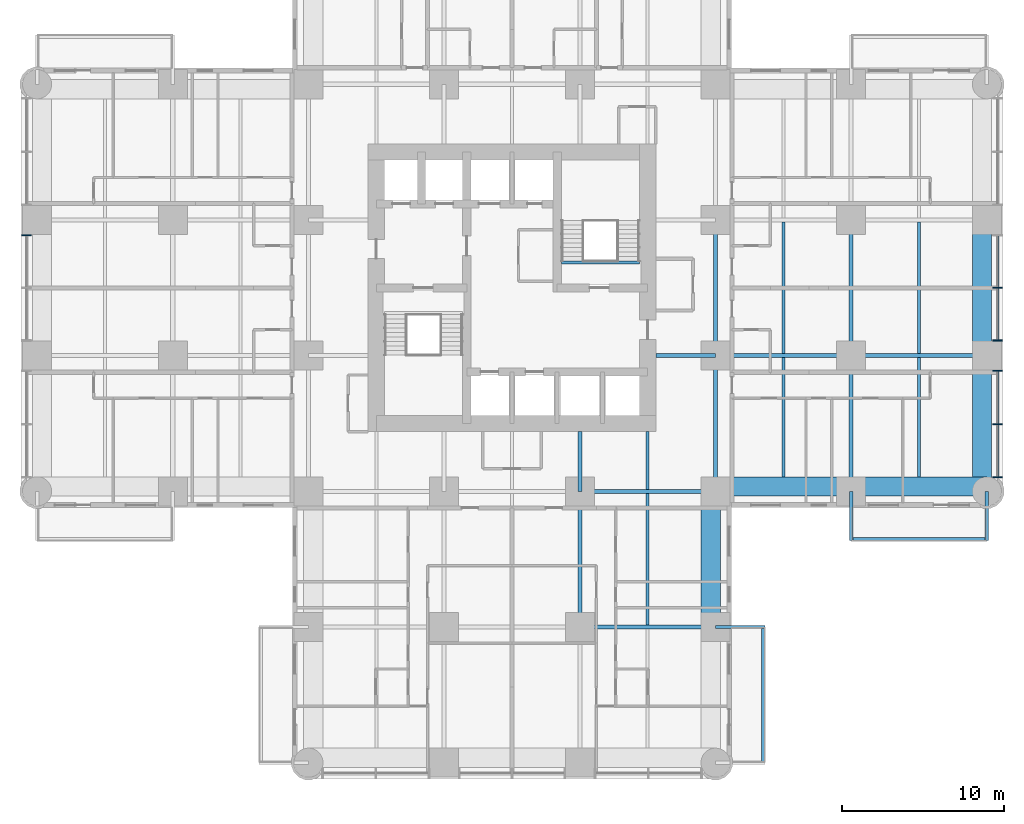
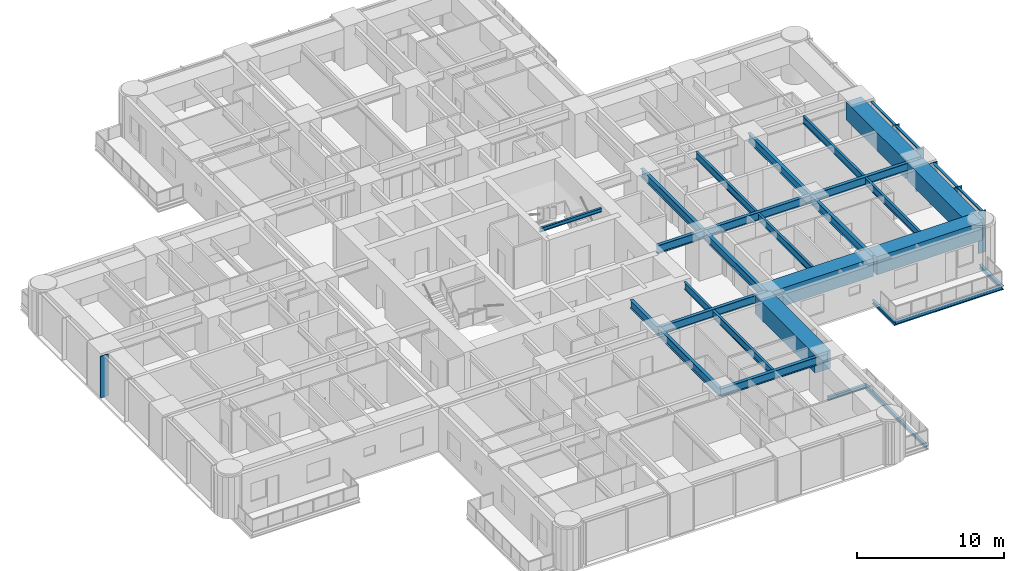
# One storey, part 3 of 17: 28 beams, 10 members, 2 elements without a shape of their own.
"""IFC4 building model written with IfcOpenShell, lengths in metres."""

from ifc_helpers import new_model, si_unit, direction, frame, origin, origin_2d, place, context, subcontext, project, spatial, rectangle, i_section, extrude, material, material_profile, profile_set, type_object, element, aggregate, save


model = new_model("IFC4")

# Units and contexts
model_context = context("Model", 3, precision=1e-05, world=origin(), true_north=direction((0.0, 1.0)))
body_context = subcontext(model_context, "Body", "Model", "MODEL_VIEW")
ifc_project = project(units=[si_unit("LENGTHUNIT", "METRE"), si_unit("AREAUNIT", "SQUARE_METRE"), si_unit("VOLUMEUNIT", "CUBIC_METRE"), si_unit("PLANEANGLEUNIT", "RADIAN"), si_unit("MASSUNIT", "GRAM", prefix="KILO")], contexts=[model_context])

# Site, building, storey
site_placement = place(None, origin())
site = spatial("IfcSite", under=ifc_project, at=site_placement, CompositionType="ELEMENT")
building_placement = place(site_placement, origin())
building = spatial("IfcBuilding", under=site, at=building_placement, Name="Torre Alcanfor", CompositionType="ELEMENT")
storey_placement = place(building_placement, frame((0.0, 0.0, 84.89990234375)))
storey = spatial("IfcBuildingStorey", under=building, at=storey_placement, Name="L21", CompositionType="ELEMENT", Elevation=84.89990234375)

# Beams
ifc_material_1 = material(Name="Steel ASTM A992 Grade 50", Category="steel")
ifc_material_profile_1 = material_profile(ifc_material_1, i_section(OverallWidth=0.205322265625, OverallDepth=0.309814453125, WebThickness=0.00927734375, FlangeThickness=0.016357421875, at=origin_2d()), Name="W12x50")
ifc_profile_set_1 = profile_set([ifc_material_profile_1], Name="Steel ASTM A992 Grade 50")
beam_type_1 = type_object("IfcBeamType", Name="Balcony cantilever beam W12x50", PredefinedType="BEAM", material=ifc_profile_set_1)
for number, where, z_axis, x_axis, name in (
    (1, (50.39990234375, 16.800048828125, -0.354736328125), (0.0, -1.0, 0.0), (1.0, 0.0, 0.0), "Balcony cantilever beam L21-E2 1"),
    (2, (58.800048828125, 16.800048828125, -0.354736328125), (0.0, -1.0, 0.0), (1.0, 0.0, 0.0), "Balcony cantilever beam L21-E2 2"),
    (3, (42.0, 8.39990234375, -0.354736328125), (1.0, 0.0, 0.0), (0.0, 1.0, 0.0), "Balcony cantilever beam L21-S1 1"),
):
    element("IfcBeam", number, at=place(storey_placement, frame(where, z_axis=z_axis, x_axis=x_axis)), inside=storey, type_object=beam_type_1, Name=name, PredefinedType="BEAM", context=body_context, shape_type="SweptSolid", body=[
        extrude(i_section(OverallWidth=0.205322265625, OverallDepth=0.309814453125, WebThickness=0.00927734375, FlangeThickness=0.016357421875, at=origin_2d()), origin(), (0.0, 0.0, 1.0), 3.050048828125),
    ])
ifc_material_2 = material(Name="Steel ASTM A992 Grade 50", Category="steel")
ifc_material_profile_2 = material_profile(ifc_material_2, i_section(OverallWidth=0.203369140625, OverallDepth=0.30224609375, WebThickness=0.007568359375, FlangeThickness=0.01318359375, at=origin_2d()), Name="W12x40")
ifc_profile_set_2 = profile_set([ifc_material_profile_2], Name="Steel ASTM A992 Grade 50")
beam_type_2 = type_object("IfcBeamType", Name="Balcony edge trimmer W12x40", PredefinedType="BEAM", material=ifc_profile_set_2)
beam_1_placement = place(storey_placement, frame((50.39990234375, 13.851806640625, -0.35107421875), z_axis=(1.0, 0.0, 0.0), x_axis=(0.0, 1.0, 0.0)))
element("IfcBeam", 4, at=beam_1_placement, inside=storey, type_object=beam_type_2, Name="Balcony edge trimmer L21-E2", PredefinedType="BEAM", context=body_context, shape_type="SweptSolid", body=[
    extrude(i_section(OverallWidth=0.203369140625, OverallDepth=0.30224609375, WebThickness=0.007568359375, FlangeThickness=0.01318359375, at=origin_2d()), origin(), (0.0, 0.0, 1.0), 8.400146484375),
])
beam_2_placement = place(storey_placement, frame((44.9482421875, 8.39990234375, -0.35107421875), z_axis=(0.0, -1.0, 0.0), x_axis=(1.0, 0.0, 0.0)))
element("IfcBeam", 5, at=beam_2_placement, inside=storey, type_object=beam_type_2, Name="Balcony edge trimmer L21-S1", PredefinedType="BEAM", context=body_context, shape_type="SweptSolid", body=[
    extrude(i_section(OverallWidth=0.203369140625, OverallDepth=0.30224609375, WebThickness=0.007568359375, FlangeThickness=0.01318359375, at=origin_2d()), origin(), (0.0, 0.0, 1.0), 8.39990234375),
])

# Curtain wall, member
ifc_material_3 = material(Name="Aluminium and glass", Category="aluminium")
curtain_wall_type = type_object("IfcCurtainWallType", Name="CW-A unitised apartment glazing with vertical FIN", PredefinedType="NOTDEFINED", material=ifc_material_3)
curtain_wall_1_placement = place(storey_placement, origin())
curtain_wall_1 = element("IfcCurtainWall", 6, at=curtain_wall_1_placement, inside=storey, type_object=curtain_wall_type, Name="Curtain wall CW-A L21 2", PredefinedType="NOTDEFINED")
ifc_material_4 = material(Name="Bronze anodised aluminium", Category="aluminium")
ifc_material_profile_3 = material_profile(ifc_material_4, rectangle(XDim=0.60009765625, YDim=0.06494140625, at=origin_2d()), Name="CW-A mullion 65x600")
ifc_profile_set_3 = profile_set([ifc_material_profile_3], Name="Bronze anodised aluminium")
member_type_1 = type_object("IfcMemberType", Name="CW-A mullion with vertical FIN 65x600", PredefinedType="MULLION", material=ifc_profile_set_3)
member_1_placement = place(storey_placement, frame((-0.64990234375, 32.66259765625, 0.0), z_axis=(0.0, 0.0, 1.0), x_axis=(1.0, 0.0, 0.0)))
member_1 = element("IfcMember", 7, at=member_1_placement, type_object=member_type_1, Name="CW-A mullion 2.1", PredefinedType="MULLION", context=body_context, shape_type="SweptSolid", body=[
    extrude(rectangle(XDim=0.60009765625, YDim=0.06494140625, at=origin_2d()), origin(), (0.0, 0.0, 1.0), 3.4501953125),
])
aggregate(curtain_wall_1, [member_1])

# Curtain wall, members
curtain_wall_2_placement = place(storey_placement, origin())
curtain_wall_2 = element("IfcCurtainWall", 8, at=curtain_wall_2_placement, inside=storey, type_object=curtain_wall_type, Name="Curtain wall CW-A L21 8", PredefinedType="NOTDEFINED")
member_2_placement = place(storey_placement, frame((59.449951171875, 17.6669921875, 0.0), z_axis=(0.0, 0.0, 1.0), x_axis=(-1.0, 0.0, 0.0)))
member_2 = element("IfcMember", 9, at=member_2_placement, type_object=member_type_1, Name="CW-A mullion 1.1", PredefinedType="MULLION", context=body_context, shape_type="SweptSolid", body=[
    extrude(rectangle(XDim=0.60009765625, YDim=0.06494140625, at=origin_2d()), origin(), (0.0, 0.0, 1.0), 3.4501953125),
])
member_3_placement = place(storey_placement, frame((59.449951171875, 20.96484375, 0.0), z_axis=(0.0, 0.0, 1.0), x_axis=(-1.0, 0.0, 0.0)))
member_3 = element("IfcMember", 10, at=member_3_placement, type_object=member_type_1, Name="CW-A mullion 1.2", PredefinedType="MULLION", context=body_context, shape_type="SweptSolid", body=[
    extrude(rectangle(XDim=0.60009765625, YDim=0.06494140625, at=origin_2d()), origin(), (0.0, 0.0, 1.0), 3.4501953125),
])
member_4_placement = place(storey_placement, frame((59.449951171875, 24.262451171875, 0.0), z_axis=(0.0, 0.0, 1.0), x_axis=(-1.0, 0.0, 0.0)))
member_4 = element("IfcMember", 11, at=member_4_placement, type_object=member_type_1, Name="CW-A mullion 1.3", PredefinedType="MULLION", context=body_context, shape_type="SweptSolid", body=[
    extrude(rectangle(XDim=0.60009765625, YDim=0.06494140625, at=origin_2d()), origin(), (0.0, 0.0, 1.0), 3.4501953125),
])
member_5_placement = place(storey_placement, frame((59.449951171875, 26.137451171875, 0.0), z_axis=(0.0, 0.0, 1.0), x_axis=(-1.0, 0.0, 0.0)))
member_5 = element("IfcMember", 12, at=member_5_placement, type_object=member_type_1, Name="CW-A mullion 2.1", PredefinedType="MULLION", context=body_context, shape_type="SweptSolid", body=[
    extrude(rectangle(XDim=0.60009765625, YDim=0.06494140625, at=origin_2d()), origin(), (0.0, 0.0, 1.0), 3.4501953125),
])
member_6_placement = place(storey_placement, frame((59.449951171875, 29.39990234375, 0.0), z_axis=(0.0, 0.0, 1.0), x_axis=(-1.0, 0.0, 0.0)))
member_6 = element("IfcMember", 13, at=member_6_placement, type_object=member_type_1, Name="CW-A mullion 2.2", PredefinedType="MULLION", context=body_context, shape_type="SweptSolid", body=[
    extrude(rectangle(XDim=0.60009765625, YDim=0.06494140625, at=origin_2d()), origin(), (0.0, 0.0, 1.0), 3.4501953125),
])
ifc_material_5 = material(Name="Extruded aluminium", Category="aluminium")
ifc_material_profile_4 = material_profile(ifc_material_5, rectangle(XDim=0.199951171875, YDim=0.06494140625, at=origin_2d()), Name="CW-A transom 200x65")
ifc_profile_set_4 = profile_set([ifc_material_profile_4], Name="Extruded aluminium")
member_type_2 = type_object("IfcMemberType", Name="CW-A transom 65x200", PredefinedType="USERDEFINED", material=ifc_profile_set_4)
member_7_placement = place(storey_placement, frame((59.449951171875, 17.699462890625, 3.41748046875), z_axis=(0.0, 1.0, 0.0), x_axis=(-1.0, 0.0, 0.0)))
member_7 = element("IfcMember", 14, at=member_7_placement, type_object=member_type_2, Name="CW-A transom 1.1.2", ObjectType="TRANSOM", PredefinedType="USERDEFINED", context=body_context, shape_type="SweptSolid", body=[
    extrude(rectangle(XDim=0.199951171875, YDim=0.06494140625, at=origin_2d()), origin(), (0.0, 0.0, 1.0), 3.232666015625),
])
member_8_placement = place(storey_placement, frame((59.449951171875, 20.997314453125, 3.41748046875), z_axis=(0.0, 1.0, 0.0), x_axis=(-1.0, 0.0, 0.0)))
member_8 = element("IfcMember", 15, at=member_8_placement, type_object=member_type_2, Name="CW-A transom 1.2.2", ObjectType="TRANSOM", PredefinedType="USERDEFINED", context=body_context, shape_type="SweptSolid", body=[
    extrude(rectangle(XDim=0.199951171875, YDim=0.06494140625, at=origin_2d()), origin(), (0.0, 0.0, 1.0), 3.232666015625),
])
member_9_placement = place(storey_placement, frame((59.449951171875, 26.169921875, 3.41748046875), z_axis=(0.0, 1.0, 0.0), x_axis=(-1.0, 0.0, 0.0)))
member_9 = element("IfcMember", 16, at=member_9_placement, type_object=member_type_2, Name="CW-A transom 2.1.2", ObjectType="TRANSOM", PredefinedType="USERDEFINED", context=body_context, shape_type="SweptSolid", body=[
    extrude(rectangle(XDim=0.199951171875, YDim=0.06494140625, at=origin_2d()), origin(), (0.0, 0.0, 1.0), 3.197509765625),
])
member_10_placement = place(storey_placement, frame((59.449951171875, 29.4326171875, 3.41748046875), z_axis=(0.0, 1.0, 0.0), x_axis=(-1.0, 0.0, 0.0)))
member_10 = element("IfcMember", 17, at=member_10_placement, type_object=member_type_2, Name="CW-A transom 2.2.2", ObjectType="TRANSOM", PredefinedType="USERDEFINED", context=body_context, shape_type="SweptSolid", body=[
    extrude(rectangle(XDim=0.199951171875, YDim=0.06494140625, at=origin_2d()), origin(), (0.0, 0.0, 1.0), 3.197265625),
])
aggregate(curtain_wall_2, [member_2, member_3, member_4, member_7, member_8, member_5, member_6, member_9, member_10])

# Beams
ifc_material_6 = material(Name="Steel ASTM A992 Grade 50", Category="steel")
ifc_material_profile_5 = material_profile(ifc_material_6, i_section(OverallWidth=0.25390625, OverallDepth=0.683349609375, WebThickness=0.012451171875, FlangeThickness=0.01904296875, at=origin_2d()), Name="W27x94")
ifc_profile_set_5 = profile_set([ifc_material_profile_5], Name="Steel ASTM A992 Grade 50")
beam_type_3 = type_object("IfcBeamType", Name="Girder W27x94", PredefinedType="BEAM", material=ifc_profile_set_5)
for number, where, z_axis, x_axis, name in (
    (18, (33.60009765625, 8.39990234375, 3.1083984375), (1.0, 0.0, 0.0), (0.0, 1.0, 0.0), "Beam 5D-6D under L22"),
    (19, (33.60009765625, 16.800048828125, 3.1083984375), (1.0, 0.0, 0.0), (0.0, 1.0, 0.0), "Beam 5E-6E under L22"),
    (20, (42.0, 25.199951171875, 3.1083984375), (1.0, 0.0, 0.0), (0.0, 1.0, 0.0), "Beam 6F-7F under L22"),
):
    element("IfcBeam", number, at=place(storey_placement, frame(where, z_axis=z_axis, x_axis=x_axis)), inside=storey, type_object=beam_type_3, Name=name, PredefinedType="BEAM", context=body_context, shape_type="SweptSolid", body=[
        extrude(i_section(OverallWidth=0.25390625, OverallDepth=0.683349609375, WebThickness=0.012451171875, FlangeThickness=0.01904296875, at=origin_2d()), origin(), (0.0, 0.0, 1.0), 8.39990234375),
    ])
for number, where, z_axis, x_axis, name in (
    (21, (50.39990234375, 25.199951171875, 3.1083984375), (1.0, 0.0, 0.0), (0.0, 1.0, 0.0), "Beam 7F-8F under L22"),
    (22, (33.60009765625, 8.39990234375, 3.1083984375), (0.0, 1.0, 0.0), (-1.0, 0.0, 0.0), "Beam 5D-5E under L22"),
):
    element("IfcBeam", number, at=place(storey_placement, frame(where, z_axis=z_axis, x_axis=x_axis)), inside=storey, type_object=beam_type_3, Name=name, PredefinedType="BEAM", context=body_context, shape_type="SweptSolid", body=[
        extrude(i_section(OverallWidth=0.25390625, OverallDepth=0.683349609375, WebThickness=0.012451171875, FlangeThickness=0.01904296875, at=origin_2d()), origin(), (0.0, 0.0, 1.0), 8.400146484375),
    ])
beam_3_placement = place(storey_placement, frame((42.0, 16.800048828125, 3.1083984375), z_axis=(0.0, 1.0, 0.0), x_axis=(-1.0, 0.0, 0.0)))
element("IfcBeam", 23, at=beam_3_placement, inside=storey, type_object=beam_type_3, Name="Beam 6E-6F under L22", PredefinedType="BEAM", context=body_context, shape_type="SweptSolid", body=[
    extrude(i_section(OverallWidth=0.25390625, OverallDepth=0.683349609375, WebThickness=0.012451171875, FlangeThickness=0.01904296875, at=origin_2d()), origin(), (0.0, 0.0, 1.0), 8.39990234375),
])
beam_4_placement = place(storey_placement, frame((42.0, 25.199951171875, 3.1083984375), z_axis=(0.0, 1.0, 0.0), x_axis=(-1.0, 0.0, 0.0)))
element("IfcBeam", 24, at=beam_4_placement, inside=storey, type_object=beam_type_3, Name="Beam 6F-6G under L22", PredefinedType="BEAM", context=body_context, shape_type="SweptSolid", body=[
    extrude(i_section(OverallWidth=0.25390625, OverallDepth=0.683349609375, WebThickness=0.012451171875, FlangeThickness=0.01904296875, at=origin_2d()), origin(), (0.0, 0.0, 1.0), 8.400146484375),
])
beam_5_placement = place(storey_placement, frame((50.39990234375, 16.800048828125, 3.1083984375), z_axis=(0.0, 1.0, 0.0), x_axis=(-1.0, 0.0, 0.0)))
element("IfcBeam", 25, at=beam_5_placement, inside=storey, type_object=beam_type_3, Name="Beam 7E-7F under L22", PredefinedType="BEAM", context=body_context, shape_type="SweptSolid", body=[
    extrude(i_section(OverallWidth=0.25390625, OverallDepth=0.683349609375, WebThickness=0.012451171875, FlangeThickness=0.01904296875, at=origin_2d()), origin(), (0.0, 0.0, 1.0), 8.39990234375),
])
beam_6_placement = place(storey_placement, frame((50.39990234375, 25.199951171875, 3.1083984375), z_axis=(0.0, 1.0, 0.0), x_axis=(-1.0, 0.0, 0.0)))
element("IfcBeam", 26, at=beam_6_placement, inside=storey, type_object=beam_type_3, Name="Beam 7F-7G under L22", PredefinedType="BEAM", context=body_context, shape_type="SweptSolid", body=[
    extrude(i_section(OverallWidth=0.25390625, OverallDepth=0.683349609375, WebThickness=0.012451171875, FlangeThickness=0.01904296875, at=origin_2d()), origin(), (0.0, 0.0, 1.0), 8.400146484375),
])
ifc_material_7 = material(Name="Steel ASTM A992 Grade 50", Category="steel")
ifc_material_profile_6 = material_profile(ifc_material_7, i_section(OverallWidth=0.25390625, OverallDepth=0.683349609375, WebThickness=0.012451171875, FlangeThickness=0.01904296875, at=origin_2d()), Name="W27x94")
ifc_profile_set_6 = profile_set([ifc_material_profile_6], Name="Steel ASTM A992 Grade 50")
beam_type_4 = type_object("IfcBeamType", Name="Girder, part bay W27x94", PredefinedType="BEAM", material=ifc_profile_set_6)
for number, where, z_axis, x_axis, name in (
    (27, (33.60009765625, 16.800048828125, 3.1083984375), (0.0, 1.0, 0.0), (-1.0, 0.0, 0.0), "Beam 5E-520_5 under L22"),
    (28, (42.0, 25.199951171875, 3.1083984375), (-1.0, 0.0, 0.0), (0.0, -1.0, 0.0), "Beam 6F-38_3F under L22"),
):
    element("IfcBeam", number, at=place(storey_placement, frame(where, z_axis=z_axis, x_axis=x_axis)), inside=storey, type_object=beam_type_4, Name=name, PredefinedType="BEAM", context=body_context, shape_type="SweptSolid", body=[
        extrude(i_section(OverallWidth=0.25390625, OverallDepth=0.683349609375, WebThickness=0.012451171875, FlangeThickness=0.01904296875, at=origin_2d()), origin(), (0.0, 0.0, 1.0), 3.699951171875),
    ])
ifc_material_8 = material(Name="Concrete f'c 70 MPa", Category="concrete")
ifc_material_profile_7 = material_profile(ifc_material_8, rectangle(XDim=1.199951171875, YDim=1.5, at=origin_2d()), Name="1200x1500")
ifc_profile_set_7 = profile_set([ifc_material_profile_7], Name="Concrete f'c 70 MPa")
beam_type_5 = type_object("IfcBeamType", Name="RC perimeter beam 1200x1500", PredefinedType="BEAM", material=ifc_profile_set_7)
beam_7_placement = place(storey_placement, frame((42.126953125, 17.10009765625, 2.7001953125), z_axis=(1.0, 0.0, 0.0), x_axis=(0.0, 1.0, 0.0)))
element("IfcBeam", 29, at=beam_7_placement, inside=storey, type_object=beam_type_5, Name="Beam 6E-7E under L22", PredefinedType="BEAM", context=body_context, shape_type="SweptSolid", body=[
    extrude(rectangle(XDim=1.199951171875, YDim=1.5, at=origin_2d()), origin(), (0.0, 0.0, 1.0), 8.14599609375),
])
beam_8_placement = place(storey_placement, frame((50.527099609375, 17.10009765625, 2.7001953125), z_axis=(1.0, 0.0, 0.0), x_axis=(0.0, 1.0, 0.0)))
element("IfcBeam", 30, at=beam_8_placement, inside=storey, type_object=beam_type_5, Name="Beam 7E-8E under L22", PredefinedType="BEAM", context=body_context, shape_type="SweptSolid", body=[
    extrude(rectangle(XDim=1.199951171875, YDim=1.5, at=origin_2d()), origin(), (0.0, 0.0, 1.0), 8.27294921875),
])
beam_9_placement = place(storey_placement, frame((41.699951171875, 8.527099609375, 2.7001953125), z_axis=(0.0, 1.0, 0.0), x_axis=(-1.0, 0.0, 0.0)))
element("IfcBeam", 31, at=beam_9_placement, inside=storey, type_object=beam_type_5, Name="Beam 6D-6E under L22", PredefinedType="BEAM", context=body_context, shape_type="SweptSolid", body=[
    extrude(rectangle(XDim=1.199951171875, YDim=1.5, at=origin_2d()), origin(), (0.0, 0.0, 1.0), 8.14599609375),
])
beam_10_placement = place(storey_placement, frame((58.5, 16.800048828125, 2.7001953125), z_axis=(0.0, 1.0, 0.0), x_axis=(-1.0, 0.0, 0.0)))
element("IfcBeam", 32, at=beam_10_placement, inside=storey, type_object=beam_type_5, Name="Beam 8E-8F under L22", PredefinedType="BEAM", context=body_context, shape_type="SweptSolid", body=[
    extrude(rectangle(XDim=1.199951171875, YDim=1.5, at=origin_2d()), origin(), (0.0, 0.0, 1.0), 8.27294921875),
])
beam_11_placement = place(storey_placement, frame((58.5, 25.326904296875, 2.7001953125), z_axis=(0.0, 1.0, 0.0), x_axis=(-1.0, 0.0, 0.0)))
element("IfcBeam", 33, at=beam_11_placement, inside=storey, type_object=beam_type_5, Name="Beam 8F-8G under L22", PredefinedType="BEAM", context=body_context, shape_type="SweptSolid", body=[
    extrude(rectangle(XDim=1.199951171875, YDim=1.5, at=origin_2d()), origin(), (0.0, 0.0, 1.0), 8.14599609375),
])
ifc_material_9 = material(Name="Steel ASTM A992 Grade 50", Category="steel")
ifc_material_profile_8 = material_profile(ifc_material_9, i_section(OverallWidth=0.1787109375, OverallDepth=0.60205078125, WebThickness=0.010986328125, FlangeThickness=0.014892578125, at=origin_2d()), Name="W24x62")
ifc_profile_set_8 = profile_set([ifc_material_profile_8], Name="Steel ASTM A992 Grade 50")
beam_type_6 = type_object("IfcBeamType", Name="Secondary beam W24x62", PredefinedType="BEAM", material=ifc_profile_set_8)
beam_12_placement = place(storey_placement, frame((37.800048828125, 8.527099609375, 3.149169921875), z_axis=(0.0, 1.0, 0.0), x_axis=(-1.0, 0.0, 0.0)))
element("IfcBeam", 34, at=beam_12_placement, inside=storey, type_object=beam_type_6, Name="Beam 37_8D-37_8E under L22", PredefinedType="BEAM", context=body_context, shape_type="SweptSolid", body=[
    extrude(i_section(OverallWidth=0.1787109375, OverallDepth=0.60205078125, WebThickness=0.010986328125, FlangeThickness=0.014892578125, at=origin_2d()), origin(), (0.0, 0.0, 1.0), 8.14599609375),
])
beam_13_placement = place(storey_placement, frame((46.199951171875, 17.699951171875, 3.149169921875), z_axis=(0.0, 1.0, 0.0), x_axis=(-1.0, 0.0, 0.0)))
element("IfcBeam", 35, at=beam_13_placement, inside=storey, type_object=beam_type_6, Name="Beam 46_2E-46_2F under L22", PredefinedType="BEAM", context=body_context, shape_type="SweptSolid", body=[
    extrude(i_section(OverallWidth=0.1787109375, OverallDepth=0.60205078125, WebThickness=0.010986328125, FlangeThickness=0.014892578125, at=origin_2d()), origin(), (0.0, 0.0, 1.0), 7.373046875),
])
beam_14_placement = place(storey_placement, frame((46.199951171875, 25.326904296875, 3.149169921875), z_axis=(0.0, 1.0, 0.0), x_axis=(-1.0, 0.0, 0.0)))
element("IfcBeam", 36, at=beam_14_placement, inside=storey, type_object=beam_type_6, Name="Beam 46_2F-46_2G under L22", PredefinedType="BEAM", context=body_context, shape_type="SweptSolid", body=[
    extrude(i_section(OverallWidth=0.1787109375, OverallDepth=0.60205078125, WebThickness=0.010986328125, FlangeThickness=0.014892578125, at=origin_2d()), origin(), (0.0, 0.0, 1.0), 8.14599609375),
])
beam_15_placement = place(storey_placement, frame((54.60009765625, 17.699951171875, 3.149169921875), z_axis=(0.0, 1.0, 0.0), x_axis=(-1.0, 0.0, 0.0)))
element("IfcBeam", 37, at=beam_15_placement, inside=storey, type_object=beam_type_6, Name="Beam 54_6E-54_6F under L22", PredefinedType="BEAM", context=body_context, shape_type="SweptSolid", body=[
    extrude(i_section(OverallWidth=0.1787109375, OverallDepth=0.60205078125, WebThickness=0.010986328125, FlangeThickness=0.014892578125, at=origin_2d()), origin(), (0.0, 0.0, 1.0), 7.373046875),
])
beam_16_placement = place(storey_placement, frame((54.60009765625, 25.326904296875, 3.149169921875), z_axis=(0.0, 1.0, 0.0), x_axis=(-1.0, 0.0, 0.0)))
element("IfcBeam", 38, at=beam_16_placement, inside=storey, type_object=beam_type_6, Name="Beam 54_6F-54_6G under L22", PredefinedType="BEAM", context=body_context, shape_type="SweptSolid", body=[
    extrude(i_section(OverallWidth=0.1787109375, OverallDepth=0.60205078125, WebThickness=0.010986328125, FlangeThickness=0.014892578125, at=origin_2d()), origin(), (0.0, 0.0, 1.0), 8.14599609375),
])
ifc_material_10 = material(Name="Steel ASTM A992 Grade 50", Category="steel")
ifc_material_profile_9 = material_profile(ifc_material_10, i_section(OverallWidth=0.1787109375, OverallDepth=0.60205078125, WebThickness=0.010986328125, FlangeThickness=0.014892578125, at=origin_2d()), Name="W24x62")
ifc_profile_set_9 = profile_set([ifc_material_profile_9], Name="Steel ASTM A992 Grade 50")
beam_type_7 = type_object("IfcBeamType", Name="Secondary beam, part bay W24x62", PredefinedType="BEAM", material=ifc_profile_set_9)
beam_17_placement = place(storey_placement, frame((37.800048828125, 16.927001953125, 3.149169921875), z_axis=(0.0, 1.0, 0.0), x_axis=(-1.0, 0.0, 0.0)))
element("IfcBeam", 39, at=beam_17_placement, inside=storey, type_object=beam_type_7, Name="Beam 37_8E-37_820_5 under L22", PredefinedType="BEAM", context=body_context, shape_type="SweptSolid", body=[
    extrude(i_section(OverallWidth=0.1787109375, OverallDepth=0.60205078125, WebThickness=0.010986328125, FlangeThickness=0.014892578125, at=origin_2d()), origin(), (0.0, 0.0, 1.0), 3.572998046875),
])
ifc_material_11 = material(Name="Steel ASTM A992 Grade 50", Category="steel")
ifc_material_profile_10 = material_profile(ifc_material_11, i_section(OverallWidth=0.164794921875, OverallDepth=0.309814453125, WebThickness=0.005859375, FlangeThickness=0.009765625, at=origin_2d()), Name="W12x26")
ifc_profile_set_10 = profile_set([ifc_material_profile_10], Name="Steel ASTM A992 Grade 50")
beam_type_8 = type_object("IfcBeamType", Name="Stair landing beam W12x26", PredefinedType="BEAM", material=ifc_profile_set_10)
beam_18_placement = place(storey_placement, frame((32.449951171875, 30.962646484375, 3.2451171875), z_axis=(1.0, 0.0, 0.0), x_axis=(0.0, 1.0, 0.0)))
element("IfcBeam", 40, at=beam_18_placement, inside=storey, type_object=beam_type_8, Name="Landing trimmer S2 L22", PredefinedType="BEAM", context=body_context, shape_type="SweptSolid", body=[
    extrude(i_section(OverallWidth=0.164794921875, OverallDepth=0.309814453125, WebThickness=0.005859375, FlangeThickness=0.009765625, at=origin_2d()), origin(), (0.0, 0.0, 1.0), 4.85009765625),
])

save(model, "model.ifc")
